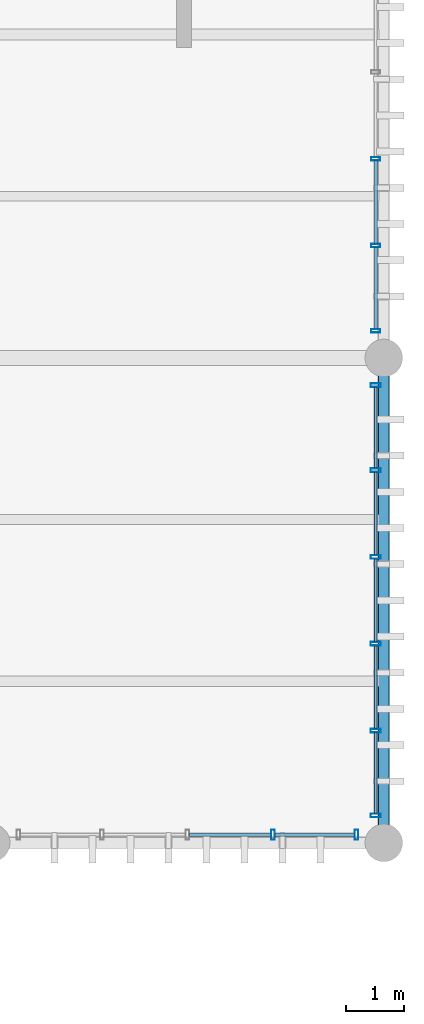
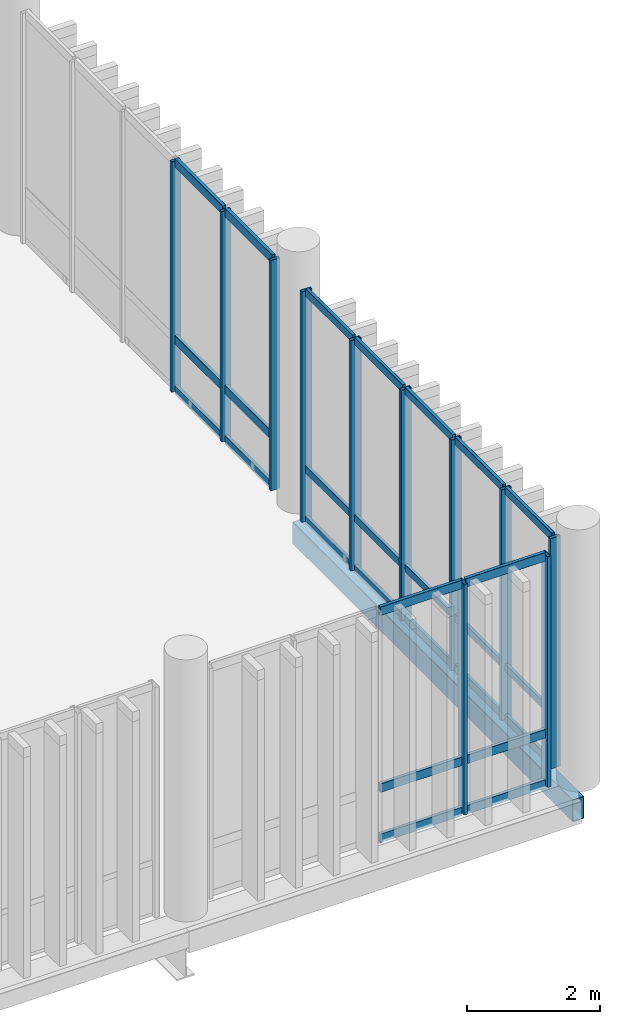
# One storey, part 50 of 86: 38 members, 1 beam, 3 elements without a shape of their own.
"""IFC4 building model written with IfcOpenShell, lengths in metres."""

import ifcopenshell
import ifcopenshell.guid

model = None  # the IFC model being written
_history = None  # IfcOwnerHistory: only IFC2X3 demands one
_inside = {}  # id of a spatial element -> (the spatial element, [elements in it])
_under = {}  # id of a project, library or spatial element -> (it, [spatial elements below it])
_declared = {}  # id of a project -> (the project, [libraries it declares])
_typed = {}  # id of a type object -> (the type object, [elements of that type])
_made_of = {}  # id of a material, layer set ... -> (it, [elements and type objects made of it])


def new_model(schema):
    """Start an empty IFC model of exactly this schema.

    Asked for "IFC4X3", IfcOpenShell would pick the latest addendum, in which some entities
    have other attributes; the version numbers below select the first issue.
    IFC2X3 requires an IfcOwnerHistory on every rooted entity: one is made here for all.
    """
    global model, _history
    if schema == "IFC4X3":
        model = ifcopenshell.file(schema_version=(4, 3, 0, 0))
    else:
        model = ifcopenshell.file(schema=schema)
    _inside.clear()
    _under.clear()
    _declared.clear()
    _typed.clear()
    _made_of.clear()
    _history = None
    if model.schema == "IFC2X3":
        org = make("IfcOrganization", Name="unknown")
        user = make(
            "IfcPersonAndOrganization",
            ThePerson=make("IfcPerson", FamilyName="unknown"),
            TheOrganization=org,
        )
        app = make(
            "IfcApplication",
            ApplicationDeveloper=org,
            Version="unknown",
            ApplicationFullName="unknown",
            ApplicationIdentifier="unknown",
        )
        _history = make(
            "IfcOwnerHistory",
            OwningUser=user,
            OwningApplication=app,
            ChangeAction="ADDED",
            CreationDate=0,
        )
    return model


def make(cls, **values):
    """One entity of the class cls with the attributes given. An attribute that is None is left unset."""
    return model.create_entity(
        cls, **{name: value for name, value in values.items() if value is not None}
    )


def rooted(cls, **values):
    """An entity with a GlobalId (a new one), such as an element, a storey or a relation."""
    return make(cls, GlobalId=ifcopenshell.guid.new(), OwnerHistory=_history, **values)


def si_unit(unit_type, name, prefix=None):
    """IfcSIUnit, for example si_unit("LENGTHUNIT", "METRE", prefix="MILLI")."""
    return make("IfcSIUnit", UnitType=unit_type, Prefix=prefix, Name=name)


def assignment(units):
    """IfcUnitAssignment: the units of a project."""
    return None if units is None else make("IfcUnitAssignment", Units=units)


def point(xyz):
    """IfcCartesianPoint."""
    return None if xyz is None else make("IfcCartesianPoint", Coordinates=xyz)


def direction(xyz):
    """IfcDirection."""
    return None if xyz is None else make("IfcDirection", DirectionRatios=xyz)


def frame(location, z_axis=None, x_axis=None):
    """IfcAxis2Placement3D, a coordinate frame: its origin and axes. An axis left out is left unset."""
    return make(
        "IfcAxis2Placement3D",
        Location=point(location),
        Axis=direction(z_axis),
        RefDirection=direction(x_axis),
    )


def frame_2d(location, x_axis=None):
    """IfcAxis2Placement2D, a coordinate frame in the plane: its origin and x axis."""
    return make(
        "IfcAxis2Placement2D", Location=point(location), RefDirection=direction(x_axis)
    )


def origin_with_axes():
    """The frame at (0, 0, 0) with the z axis (0, 0, 1) and the x axis (1, 0, 0) written out."""
    return frame((0.0, 0.0, 0.0), z_axis=(0.0, 0.0, 1.0), x_axis=(1.0, 0.0, 0.0))


def origin_2d_with_axis():
    """The frame at (0, 0) in the plane with the x axis (1, 0) written out."""
    return frame_2d((0.0, 0.0), x_axis=(1.0, 0.0))


def place(relative_to, where):
    """IfcLocalPlacement: puts the frame where relative to a parent placement (None: the world)."""
    return make(
        "IfcLocalPlacement", PlacementRelTo=relative_to, RelativePlacement=where
    )


def context(
    kind, dimensions, precision=None, world=None, true_north=None, identifier=None
):
    """IfcGeometricRepresentationContext, for example the 3D "Model" context."""
    return make(
        "IfcGeometricRepresentationContext",
        ContextIdentifier=identifier,
        ContextType=kind,
        CoordinateSpaceDimension=dimensions,
        Precision=precision,
        WorldCoordinateSystem=world,
        TrueNorth=true_north,
    )


def subcontext(parent, identifier, kind, view, scale=None):
    """IfcGeometricRepresentationSubContext, for example "Body" below "Model"."""
    return make(
        "IfcGeometricRepresentationSubContext",
        ContextIdentifier=identifier,
        ContextType=kind,
        ParentContext=parent,
        TargetScale=scale,
        TargetView=view,
    )


def project(units=None, contexts=None):
    """IfcProject with its units and contexts."""
    return rooted(
        "IfcProject",
        Name="project",
        RepresentationContexts=contexts,
        UnitsInContext=assignment(units),
    )


def spatial(cls, under=None, at=None, **own):
    """A site, building, storey or space (cls), placed at a placement, below another one or the project."""
    s = rooted(cls, ObjectPlacement=at, **own)
    if under is not None:
        _under.setdefault(under.id(), (under, []))[1].append(s)
    return s


def profile(cls, at=None, kind="AREA", **sizes):
    """A parametric profile (cls). Its sizes go by their IFC names, for example OverallWidth=200.0."""
    return make(cls, ProfileType=kind, Position=at, **sizes)


def hollow_rectangle(**sizes):
    """IfcRectangleHollowProfileDef."""
    return profile("IfcRectangleHollowProfileDef", **sizes)


def extrude(swept, where, along, depth):
    """IfcExtrudedAreaSolid: the profile swept, set in the frame where, extruded along a direction by depth."""
    return make(
        "IfcExtrudedAreaSolid",
        SweptArea=swept,
        Position=where,
        ExtrudedDirection=direction(along),
        Depth=depth,
    )


def shape(context_of_items, identifier, shape_type, items):
    """IfcShapeRepresentation: the items that make up one representation, for example the "Body"."""
    return make(
        "IfcShapeRepresentation",
        ContextOfItems=context_of_items,
        RepresentationIdentifier=identifier,
        RepresentationType=shape_type,
        Items=items,
    )


def material(Name=None, Category=None):
    """IfcMaterial."""
    return make("IfcMaterial", Name=Name, Category=Category)


def material_profile(
    of_material, cross_section, Name=None, Category=None, Priority=None
):
    """IfcMaterialProfile: a cross section and its material."""
    return make(
        "IfcMaterialProfile",
        Name=Name,
        Material=of_material,
        Profile=cross_section,
        Priority=Priority,
        Category=Category,
    )


def profile_set(profiles, Name=None, composite=None):
    """IfcMaterialProfileSet."""
    return make(
        "IfcMaterialProfileSet",
        Name=Name,
        MaterialProfiles=profiles,
        CompositeProfile=composite,
    )


def made_of(thing, what):
    """Note that an element or type object is made of a material, layer set ...; save() writes the relation."""
    if what is not None:
        _made_of.setdefault(what.id(), (what, []))[1].append(thing)
    return thing


def type_object(cls, material=None, **own):
    """A type object (cls), such as IfcWallType, which elements share."""
    return made_of(rooted(cls, **own), material)


def element(
    cls,
    number,
    at=None,
    inside=None,
    cuts=None,
    type_object=None,
    material=None,
    context=None,
    identifier="Body",
    shape_type=None,
    held_by="IfcProductDefinitionShape",
    body=None,
    shapes=None,
    **own,
):
    """One element of the class cls, such as IfcWall. Its Tag is "e" and its number.

    at: its placement. inside: the storey or other place that contains it. cuts: it is an
    opening in that element (IfcRelVoidsElement). A single representation is given by context,
    identifier, shape_type and body (its items); several are given by shapes. held_by: the class
    of the entity that holds the representations. save() writes the other relations.
    """
    e = rooted(cls, Tag="e%d" % number, ObjectPlacement=at, **own)
    if body is not None:
        shapes = [shape(context, identifier, shape_type, body)]
    if shapes is not None:
        e.Representation = make(held_by, Representations=shapes)
    if inside is not None:
        _inside.setdefault(inside.id(), (inside, []))[1].append(e)
    if cuts is not None:
        rooted(
            "IfcRelVoidsElement", RelatingBuildingElement=cuts, RelatedOpeningElement=e
        )
    if type_object is not None:
        _typed.setdefault(type_object.id(), (type_object, []))[1].append(e)
    return made_of(e, material)


def aggregate(whole, parts):
    """IfcRelAggregates: a whole, such as a stair, and the parts it consists of."""
    return rooted("IfcRelAggregates", RelatingObject=whole, RelatedObjects=parts)


def save(model, path):
    """Write the relations noted so far, then the file.

    IfcRelAggregates (storeys below a building ...), IfcRelContainedInSpatialStructure (elements
    in a storey), IfcRelDefinesByType, IfcRelAssociatesMaterial and IfcRelDeclares: one each for
    every whole, place, type object, material and project.
    """
    for whole, parts in _under.values():
        aggregate(whole, parts)
    for where, things in _inside.values():
        rooted(
            "IfcRelContainedInSpatialStructure",
            RelatedElements=things,
            RelatingStructure=where,
        )
    for kind, things in _typed.values():
        rooted("IfcRelDefinesByType", RelatedObjects=things, RelatingType=kind)
    for what, things in _made_of.values():
        rooted("IfcRelAssociatesMaterial", RelatedObjects=things, RelatingMaterial=what)
    for by, libraries in _declared.values():
        rooted("IfcRelDeclares", RelatingContext=by, RelatedDefinitions=libraries)
    model.write(path)


model = new_model("IFC4")

# Units and contexts
model_context = context("Model", 3, precision=1e-05, world=origin_with_axes(), true_north=direction((0.0, 1.0)))
body_context = subcontext(model_context, "Body", "Model", "MODEL_VIEW")
ifc_project = project(units=[si_unit("LENGTHUNIT", "METRE"), si_unit("AREAUNIT", "SQUARE_METRE"), si_unit("VOLUMEUNIT", "CUBIC_METRE"), si_unit("PLANEANGLEUNIT", "RADIAN"), si_unit("MASSUNIT", "GRAM", prefix="KILO"), si_unit("THERMODYNAMICTEMPERATUREUNIT", "KELVIN")], contexts=[model_context])

# Site, building, storey
site_placement = place(None, origin_with_axes())
site = spatial("IfcSite", under=ifc_project, at=site_placement, CompositionType="ELEMENT")
building_placement = place(site_placement, origin_with_axes())
building = spatial("IfcBuilding", under=site, at=building_placement, Name="Montbau Bow Law Courts", CompositionType="ELEMENT")
storey_placement = place(building_placement, frame((0.0, 0.0, 29.7), z_axis=(0.0, 0.0, 1.0), x_axis=(1.0, 0.0, 0.0)))
storey = spatial("IfcBuildingStorey", under=building, at=storey_placement, Name="L06", CompositionType="ELEMENT", Elevation=29.7)

# Beam
ifc_material_1 = material(Name="Steel CSA G40.21 Grade 350WT (350 MPa)", Category="steel")
ifc_material_profile_1 = material_profile(ifc_material_1, hollow_rectangle(XDim=0.203, YDim=0.406, WallThickness=0.0127, InnerFilletRadius=0.0254, OuterFilletRadius=0.0127, at=origin_2d_with_axis()), Name="HSS406X203X13", Category="Main", Priority=0)
ifc_profile_set_1 = profile_set([ifc_material_profile_1], Name="Steel CSA G40.21 Grade 350WT (350 MPa)")
beam_type = type_object("IfcBeamType", Name="B-SPN-01", PredefinedType="SPANDREL", material=ifc_profile_set_1)
beam_placement = place(None, frame((169.4, 78.0, 29.157), z_axis=(0.0, 1.0, 0.0), x_axis=(-1.0, 0.0, 0.0)))
element("IfcBeam", 1, at=beam_placement, inside=storey, type_object=beam_type, Name="SPN-L06-S1334:bm2_1337", PredefinedType="SPANDREL", context=body_context, shape_type="SweptSolid", body=[
    extrude(hollow_rectangle(XDim=0.203, YDim=0.406, WallThickness=0.0127, InnerFilletRadius=0.0254, OuterFilletRadius=0.0127, at=origin_2d_with_axis()), origin_with_axes(), (0.0, 0.0, 1.0), 8.4),
])

# Curtain wall, members
ifc_material_2 = material(Name="Thermally Broken Extruded Aluminium AA 6063-T6", Category="aluminium")
curtain_wall_type = type_object("IfcCurtainWallType", Name="CW-SLT-02", PredefinedType="NOTDEFINED", material=ifc_material_2)
curtain_wall_1_placement = place(None, frame((163.04, 78.14, 29.7), z_axis=(0.0, 0.0, 1.0), x_axis=(1.0, 0.0, 0.0)))
curtain_wall_1 = element("IfcCurtainWall", 2, at=curtain_wall_1_placement, inside=storey, type_object=curtain_wall_type, Name="CW-L06-352:cw_0352", PredefinedType="NOTDEFINED")
ifc_material_profile_2 = material_profile(ifc_material_2, hollow_rectangle(XDim=0.065, YDim=0.18, WallThickness=0.005, InnerFilletRadius=0.01, OuterFilletRadius=0.005, at=origin_2d_with_axis()), Name="CWM-180X65", Category="Main", Priority=0)
ifc_profile_set_2 = profile_set([ifc_material_profile_2], Name="Thermally Broken Extruded Aluminium AA 6063-T6")
member_type_1 = type_object("IfcMemberType", Name="M-MUL-02", PredefinedType="MULLION", material=ifc_profile_set_2)
member_1_placement = place(None, frame((167.48, 78.14, 29.7), z_axis=(0.0, 0.0, 1.0), x_axis=(1.0, 0.0, 0.0)))
member_1 = element("IfcMember", 3, at=member_1_placement, type_object=member_type_1, Name="CW-L06-352-M04:cw_0352_M04", PredefinedType="MULLION", context=body_context, shape_type="SweptSolid", body=[
    extrude(hollow_rectangle(XDim=0.065, YDim=0.18, WallThickness=0.005, InnerFilletRadius=0.01, OuterFilletRadius=0.005, at=origin_2d_with_axis()), origin_with_axes(), (0.0, 0.0, 1.0), 4.22),
])
member_2_placement = place(None, frame((168.928, 78.14, 29.7), z_axis=(0.0, 0.0, 1.0), x_axis=(1.0, 0.0, 0.0)))
member_2 = element("IfcMember", 4, at=member_2_placement, type_object=member_type_1, Name="CW-L06-352-M05:cw_0352_M05", PredefinedType="MULLION", context=body_context, shape_type="SweptSolid", body=[
    extrude(hollow_rectangle(XDim=0.065, YDim=0.18, WallThickness=0.005, InnerFilletRadius=0.01, OuterFilletRadius=0.005, at=origin_2d_with_axis()), origin_with_axes(), (0.0, 0.0, 1.0), 4.22),
])

curtain_wall_2_placement = place(None, frame((169.26, 78.44, 29.7), z_axis=(0.0, 0.0, 1.0), x_axis=(1.0, 0.0, 0.0)))
curtain_wall_2 = element("IfcCurtainWall", 5, at=curtain_wall_2_placement, inside=storey, type_object=curtain_wall_type, Name="CW-L06-361:cw_0361", PredefinedType="NOTDEFINED")
member_3_placement = place(None, frame((169.26, 78.473, 29.7), z_axis=(0.0, 0.0, 1.0), x_axis=(0.0, 1.0, 0.0)))
member_3 = element("IfcMember", 6, at=member_3_placement, type_object=member_type_1, Name="CW-L06-361-M01:cw_0361_M01", PredefinedType="MULLION", context=body_context, shape_type="SweptSolid", body=[
    extrude(hollow_rectangle(XDim=0.065, YDim=0.18, WallThickness=0.005, InnerFilletRadius=0.01, OuterFilletRadius=0.005, at=origin_2d_with_axis()), origin_with_axes(), (0.0, 0.0, 1.0), 4.22),
])
member_4_placement = place(None, frame((169.26, 79.944, 29.7), z_axis=(0.0, 0.0, 1.0), x_axis=(0.0, 1.0, 0.0)))
member_4 = element("IfcMember", 7, at=member_4_placement, type_object=member_type_1, Name="CW-L06-361-M02:cw_0361_M02", PredefinedType="MULLION", context=body_context, shape_type="SweptSolid", body=[
    extrude(hollow_rectangle(XDim=0.065, YDim=0.18, WallThickness=0.005, InnerFilletRadius=0.01, OuterFilletRadius=0.005, at=origin_2d_with_axis()), origin_with_axes(), (0.0, 0.0, 1.0), 4.22),
])
member_5_placement = place(None, frame((169.26, 81.448, 29.7), z_axis=(0.0, 0.0, 1.0), x_axis=(0.0, 1.0, 0.0)))
member_5 = element("IfcMember", 8, at=member_5_placement, type_object=member_type_1, Name="CW-L06-361-M03:cw_0361_M03", PredefinedType="MULLION", context=body_context, shape_type="SweptSolid", body=[
    extrude(hollow_rectangle(XDim=0.065, YDim=0.18, WallThickness=0.005, InnerFilletRadius=0.01, OuterFilletRadius=0.005, at=origin_2d_with_axis()), origin_with_axes(), (0.0, 0.0, 1.0), 4.22),
])
member_6_placement = place(None, frame((169.26, 82.952, 29.7), z_axis=(0.0, 0.0, 1.0), x_axis=(0.0, 1.0, 0.0)))
member_6 = element("IfcMember", 9, at=member_6_placement, type_object=member_type_1, Name="CW-L06-361-M04:cw_0361_M04", PredefinedType="MULLION", context=body_context, shape_type="SweptSolid", body=[
    extrude(hollow_rectangle(XDim=0.065, YDim=0.18, WallThickness=0.005, InnerFilletRadius=0.01, OuterFilletRadius=0.005, at=origin_2d_with_axis()), origin_with_axes(), (0.0, 0.0, 1.0), 4.22),
])
member_7_placement = place(None, frame((169.26, 84.456, 29.7), z_axis=(0.0, 0.0, 1.0), x_axis=(0.0, 1.0, 0.0)))
member_7 = element("IfcMember", 10, at=member_7_placement, type_object=member_type_1, Name="CW-L06-361-M05:cw_0361_M05", PredefinedType="MULLION", context=body_context, shape_type="SweptSolid", body=[
    extrude(hollow_rectangle(XDim=0.065, YDim=0.18, WallThickness=0.005, InnerFilletRadius=0.01, OuterFilletRadius=0.005, at=origin_2d_with_axis()), origin_with_axes(), (0.0, 0.0, 1.0), 4.22),
])
member_8_placement = place(None, frame((169.26, 85.927, 29.7), z_axis=(0.0, 0.0, 1.0), x_axis=(0.0, 1.0, 0.0)))
member_8 = element("IfcMember", 11, at=member_8_placement, type_object=member_type_1, Name="CW-L06-361-M06:cw_0361_M06", PredefinedType="MULLION", context=body_context, shape_type="SweptSolid", body=[
    extrude(hollow_rectangle(XDim=0.065, YDim=0.18, WallThickness=0.005, InnerFilletRadius=0.01, OuterFilletRadius=0.005, at=origin_2d_with_axis()), origin_with_axes(), (0.0, 0.0, 1.0), 4.22),
])

curtain_wall_3_placement = place(None, frame((169.26, 86.84, 29.7), z_axis=(0.0, 0.0, 1.0), x_axis=(1.0, 0.0, 0.0)))
curtain_wall_3 = element("IfcCurtainWall", 12, at=curtain_wall_3_placement, inside=storey, type_object=curtain_wall_type, Name="CW-L06-362:cw_0362", PredefinedType="NOTDEFINED")
ifc_material_profile_3 = material_profile(ifc_material_2, hollow_rectangle(XDim=0.06, YDim=0.16, WallThickness=0.004, InnerFilletRadius=0.008, OuterFilletRadius=0.004, at=origin_2d_with_axis()), Name="CWM-160X60", Category="Main", Priority=0)
ifc_profile_set_3 = profile_set([ifc_material_profile_3], Name="Thermally Broken Extruded Aluminium AA 6063-T6")
member_type_2 = type_object("IfcMemberType", Name="M-MUL-03", PredefinedType="MULLION", material=ifc_profile_set_3)
member_9_placement = place(None, frame((169.26, 86.87, 29.7), z_axis=(0.0, 0.0, 1.0), x_axis=(0.0, 1.0, 0.0)))
member_9 = element("IfcMember", 13, at=member_9_placement, type_object=member_type_2, Name="CW-L06-362-M01:cw_0362_M01", PredefinedType="MULLION", context=body_context, shape_type="SweptSolid", body=[
    extrude(hollow_rectangle(XDim=0.06, YDim=0.16, WallThickness=0.004, InnerFilletRadius=0.008, OuterFilletRadius=0.004, at=origin_2d_with_axis()), origin_with_axes(), (0.0, 0.0, 1.0), 4.22),
])
member_10_placement = place(None, frame((169.26, 88.344, 29.7), z_axis=(0.0, 0.0, 1.0), x_axis=(0.0, 1.0, 0.0)))
member_10 = element("IfcMember", 14, at=member_10_placement, type_object=member_type_2, Name="CW-L06-362-M02:cw_0362_M02", PredefinedType="MULLION", context=body_context, shape_type="SweptSolid", body=[
    extrude(hollow_rectangle(XDim=0.06, YDim=0.16, WallThickness=0.004, InnerFilletRadius=0.008, OuterFilletRadius=0.004, at=origin_2d_with_axis()), origin_with_axes(), (0.0, 0.0, 1.0), 4.22),
])
member_11_placement = place(None, frame((169.26, 89.848, 29.7), z_axis=(0.0, 0.0, 1.0), x_axis=(0.0, 1.0, 0.0)))
member_11 = element("IfcMember", 15, at=member_11_placement, type_object=member_type_2, Name="CW-L06-362-M03:cw_0362_M03", PredefinedType="MULLION", context=body_context, shape_type="SweptSolid", body=[
    extrude(hollow_rectangle(XDim=0.06, YDim=0.16, WallThickness=0.004, InnerFilletRadius=0.008, OuterFilletRadius=0.004, at=origin_2d_with_axis()), origin_with_axes(), (0.0, 0.0, 1.0), 4.22),
])

# Member
ifc_material_profile_4 = material_profile(ifc_material_2, hollow_rectangle(XDim=0.06, YDim=0.16, WallThickness=0.004, InnerFilletRadius=0.008, OuterFilletRadius=0.004, at=origin_2d_with_axis()), Name="CWT-160X60", Category="Main", Priority=0)
ifc_profile_set_4 = profile_set([ifc_material_profile_4], Name="Thermally Broken Extruded Aluminium AA 6063-T6")
member_type_3 = type_object("IfcMemberType", Name="M-TRN-01", PredefinedType="USERDEFINED", material=ifc_profile_set_4)
member_12_placement = place(None, frame((166.034, 78.14, 29.73), z_axis=(1.0, 0.0, 0.0), x_axis=(0.0, 1.0, 0.0)))
member_12 = element("IfcMember", 16, at=member_12_placement, type_object=member_type_3, Name="CW-L06-352-T03-1:cw_0352_T03_1", ObjectType="TRANSOM", PredefinedType="USERDEFINED", context=body_context, shape_type="SweptSolid", body=[
    extrude(hollow_rectangle(XDim=0.06, YDim=0.16, WallThickness=0.004, InnerFilletRadius=0.008, OuterFilletRadius=0.004, at=origin_2d_with_axis()), origin_with_axes(), (0.0, 0.0, 1.0), 1.412),
])

member_13_placement = place(None, frame((166.034, 78.14, 30.65), z_axis=(1.0, 0.0, 0.0), x_axis=(0.0, 1.0, 0.0)))
member_13 = element("IfcMember", 17, at=member_13_placement, type_object=member_type_3, Name="CW-L06-352-T03-2:cw_0352_T03_2", ObjectType="TRANSOM", PredefinedType="USERDEFINED", context=body_context, shape_type="SweptSolid", body=[
    extrude(hollow_rectangle(XDim=0.06, YDim=0.16, WallThickness=0.004, InnerFilletRadius=0.008, OuterFilletRadius=0.004, at=origin_2d_with_axis()), origin_with_axes(), (0.0, 0.0, 1.0), 1.412),
])

member_14_placement = place(None, frame((166.034, 78.14, 33.89), z_axis=(1.0, 0.0, 0.0), x_axis=(0.0, 1.0, 0.0)))
member_14 = element("IfcMember", 18, at=member_14_placement, type_object=member_type_3, Name="CW-L06-352-T03-3:cw_0352_T03_3", ObjectType="TRANSOM", PredefinedType="USERDEFINED", context=body_context, shape_type="SweptSolid", body=[
    extrude(hollow_rectangle(XDim=0.06, YDim=0.16, WallThickness=0.004, InnerFilletRadius=0.008, OuterFilletRadius=0.004, at=origin_2d_with_axis()), origin_with_axes(), (0.0, 0.0, 1.0), 1.412),
])

member_15_placement = place(None, frame((167.514, 78.14, 29.73), z_axis=(1.0, 0.0, 0.0), x_axis=(0.0, 1.0, 0.0)))
member_15 = element("IfcMember", 19, at=member_15_placement, type_object=member_type_3, Name="CW-L06-352-T04-1:cw_0352_T04_1", ObjectType="TRANSOM", PredefinedType="USERDEFINED", context=body_context, shape_type="SweptSolid", body=[
    extrude(hollow_rectangle(XDim=0.06, YDim=0.16, WallThickness=0.004, InnerFilletRadius=0.008, OuterFilletRadius=0.004, at=origin_2d_with_axis()), origin_with_axes(), (0.0, 0.0, 1.0), 1.38),
])

member_16_placement = place(None, frame((167.514, 78.14, 30.65), z_axis=(1.0, 0.0, 0.0), x_axis=(0.0, 1.0, 0.0)))
member_16 = element("IfcMember", 20, at=member_16_placement, type_object=member_type_3, Name="CW-L06-352-T04-2:cw_0352_T04_2", ObjectType="TRANSOM", PredefinedType="USERDEFINED", context=body_context, shape_type="SweptSolid", body=[
    extrude(hollow_rectangle(XDim=0.06, YDim=0.16, WallThickness=0.004, InnerFilletRadius=0.008, OuterFilletRadius=0.004, at=origin_2d_with_axis()), origin_with_axes(), (0.0, 0.0, 1.0), 1.38),
])

member_17_placement = place(None, frame((167.514, 78.14, 33.89), z_axis=(1.0, 0.0, 0.0), x_axis=(0.0, 1.0, 0.0)))
member_17 = element("IfcMember", 21, at=member_17_placement, type_object=member_type_3, Name="CW-L06-352-T04-3:cw_0352_T04_3", ObjectType="TRANSOM", PredefinedType="USERDEFINED", context=body_context, shape_type="SweptSolid", body=[
    extrude(hollow_rectangle(XDim=0.06, YDim=0.16, WallThickness=0.004, InnerFilletRadius=0.008, OuterFilletRadius=0.004, at=origin_2d_with_axis()), origin_with_axes(), (0.0, 0.0, 1.0), 1.38),
])

aggregate(curtain_wall_1, [member_1, member_2, member_12, member_13, member_14, member_15, member_16, member_17])

member_18_placement = place(None, frame((169.26, 86.902, 29.73), z_axis=(0.0, 1.0, 0.0), x_axis=(-1.0, 0.0, 0.0)))
member_18 = element("IfcMember", 22, at=member_18_placement, type_object=member_type_3, Name="CW-L06-362-T01-1:cw_0362_T01_1", ObjectType="TRANSOM", PredefinedType="USERDEFINED", context=body_context, shape_type="SweptSolid", body=[
    extrude(hollow_rectangle(XDim=0.06, YDim=0.16, WallThickness=0.004, InnerFilletRadius=0.008, OuterFilletRadius=0.004, at=origin_2d_with_axis()), origin_with_axes(), (0.0, 0.0, 1.0), 1.41),
])

member_19_placement = place(None, frame((169.26, 86.902, 30.65), z_axis=(0.0, 1.0, 0.0), x_axis=(-1.0, 0.0, 0.0)))
member_19 = element("IfcMember", 23, at=member_19_placement, type_object=member_type_3, Name="CW-L06-362-T01-2:cw_0362_T01_2", ObjectType="TRANSOM", PredefinedType="USERDEFINED", context=body_context, shape_type="SweptSolid", body=[
    extrude(hollow_rectangle(XDim=0.06, YDim=0.16, WallThickness=0.004, InnerFilletRadius=0.008, OuterFilletRadius=0.004, at=origin_2d_with_axis()), origin_with_axes(), (0.0, 0.0, 1.0), 1.41),
])

member_20_placement = place(None, frame((169.26, 86.902, 33.89), z_axis=(0.0, 1.0, 0.0), x_axis=(-1.0, 0.0, 0.0)))
member_20 = element("IfcMember", 24, at=member_20_placement, type_object=member_type_3, Name="CW-L06-362-T01-3:cw_0362_T01_3", ObjectType="TRANSOM", PredefinedType="USERDEFINED", context=body_context, shape_type="SweptSolid", body=[
    extrude(hollow_rectangle(XDim=0.06, YDim=0.16, WallThickness=0.004, InnerFilletRadius=0.008, OuterFilletRadius=0.004, at=origin_2d_with_axis()), origin_with_axes(), (0.0, 0.0, 1.0), 1.41),
])

member_21_placement = place(None, frame((169.26, 88.376, 29.73), z_axis=(0.0, 1.0, 0.0), x_axis=(-1.0, 0.0, 0.0)))
member_21 = element("IfcMember", 25, at=member_21_placement, type_object=member_type_3, Name="CW-L06-362-T02-1:cw_0362_T02_1", ObjectType="TRANSOM", PredefinedType="USERDEFINED", context=body_context, shape_type="SweptSolid", body=[
    extrude(hollow_rectangle(XDim=0.06, YDim=0.16, WallThickness=0.004, InnerFilletRadius=0.008, OuterFilletRadius=0.004, at=origin_2d_with_axis()), origin_with_axes(), (0.0, 0.0, 1.0), 1.44),
])

member_22_placement = place(None, frame((169.26, 88.376, 30.65), z_axis=(0.0, 1.0, 0.0), x_axis=(-1.0, 0.0, 0.0)))
member_22 = element("IfcMember", 26, at=member_22_placement, type_object=member_type_3, Name="CW-L06-362-T02-2:cw_0362_T02_2", ObjectType="TRANSOM", PredefinedType="USERDEFINED", context=body_context, shape_type="SweptSolid", body=[
    extrude(hollow_rectangle(XDim=0.06, YDim=0.16, WallThickness=0.004, InnerFilletRadius=0.008, OuterFilletRadius=0.004, at=origin_2d_with_axis()), origin_with_axes(), (0.0, 0.0, 1.0), 1.44),
])

member_23_placement = place(None, frame((169.26, 88.376, 33.89), z_axis=(0.0, 1.0, 0.0), x_axis=(-1.0, 0.0, 0.0)))
member_23 = element("IfcMember", 27, at=member_23_placement, type_object=member_type_3, Name="CW-L06-362-T02-3:cw_0362_T02_3", ObjectType="TRANSOM", PredefinedType="USERDEFINED", context=body_context, shape_type="SweptSolid", body=[
    extrude(hollow_rectangle(XDim=0.06, YDim=0.16, WallThickness=0.004, InnerFilletRadius=0.008, OuterFilletRadius=0.004, at=origin_2d_with_axis()), origin_with_axes(), (0.0, 0.0, 1.0), 1.44),
])

aggregate(curtain_wall_3, [member_9, member_10, member_11, member_18, member_19, member_20, member_21, member_22, member_23])

ifc_material_profile_5 = material_profile(ifc_material_2, hollow_rectangle(XDim=0.055, YDim=0.14, WallThickness=0.004, InnerFilletRadius=0.008, OuterFilletRadius=0.004, at=origin_2d_with_axis()), Name="CWT-140X55", Category="Main", Priority=0)
ifc_profile_set_5 = profile_set([ifc_material_profile_5], Name="Thermally Broken Extruded Aluminium AA 6063-T6")
member_type_4 = type_object("IfcMemberType", Name="M-TRN-02", PredefinedType="USERDEFINED", material=ifc_profile_set_5)
member_24_placement = place(None, frame((169.26, 78.508, 29.727), z_axis=(0.0, 1.0, 0.0), x_axis=(-1.0, 0.0, 0.0)))
member_24 = element("IfcMember", 28, at=member_24_placement, type_object=member_type_4, Name="CW-L06-361-T01-1:cw_0361_T01_1", ObjectType="TRANSOM", PredefinedType="USERDEFINED", context=body_context, shape_type="SweptSolid", body=[
    extrude(hollow_rectangle(XDim=0.055, YDim=0.14, WallThickness=0.004, InnerFilletRadius=0.008, OuterFilletRadius=0.004, at=origin_2d_with_axis()), origin_with_axes(), (0.0, 0.0, 1.0), 1.402),
])

member_25_placement = place(None, frame((169.26, 78.508, 30.65), z_axis=(0.0, 1.0, 0.0), x_axis=(-1.0, 0.0, 0.0)))
member_25 = element("IfcMember", 29, at=member_25_placement, type_object=member_type_4, Name="CW-L06-361-T01-2:cw_0361_T01_2", ObjectType="TRANSOM", PredefinedType="USERDEFINED", context=body_context, shape_type="SweptSolid", body=[
    extrude(hollow_rectangle(XDim=0.055, YDim=0.14, WallThickness=0.004, InnerFilletRadius=0.008, OuterFilletRadius=0.004, at=origin_2d_with_axis()), origin_with_axes(), (0.0, 0.0, 1.0), 1.402),
])

member_26_placement = place(None, frame((169.26, 78.508, 33.892), z_axis=(0.0, 1.0, 0.0), x_axis=(-1.0, 0.0, 0.0)))
member_26 = element("IfcMember", 30, at=member_26_placement, type_object=member_type_4, Name="CW-L06-361-T01-3:cw_0361_T01_3", ObjectType="TRANSOM", PredefinedType="USERDEFINED", context=body_context, shape_type="SweptSolid", body=[
    extrude(hollow_rectangle(XDim=0.055, YDim=0.14, WallThickness=0.004, InnerFilletRadius=0.008, OuterFilletRadius=0.004, at=origin_2d_with_axis()), origin_with_axes(), (0.0, 0.0, 1.0), 1.402),
])

member_27_placement = place(None, frame((169.26, 79.978, 29.727), z_axis=(0.0, 1.0, 0.0), x_axis=(-1.0, 0.0, 0.0)))
member_27 = element("IfcMember", 31, at=member_27_placement, type_object=member_type_4, Name="CW-L06-361-T02-1:cw_0361_T02_1", ObjectType="TRANSOM", PredefinedType="USERDEFINED", context=body_context, shape_type="SweptSolid", body=[
    extrude(hollow_rectangle(XDim=0.055, YDim=0.14, WallThickness=0.004, InnerFilletRadius=0.008, OuterFilletRadius=0.004, at=origin_2d_with_axis()), origin_with_axes(), (0.0, 0.0, 1.0), 1.436),
])

member_28_placement = place(None, frame((169.26, 79.978, 30.65), z_axis=(0.0, 1.0, 0.0), x_axis=(-1.0, 0.0, 0.0)))
member_28 = element("IfcMember", 32, at=member_28_placement, type_object=member_type_4, Name="CW-L06-361-T02-2:cw_0361_T02_2", ObjectType="TRANSOM", PredefinedType="USERDEFINED", context=body_context, shape_type="SweptSolid", body=[
    extrude(hollow_rectangle(XDim=0.055, YDim=0.14, WallThickness=0.004, InnerFilletRadius=0.008, OuterFilletRadius=0.004, at=origin_2d_with_axis()), origin_with_axes(), (0.0, 0.0, 1.0), 1.436),
])

member_29_placement = place(None, frame((169.26, 79.978, 33.892), z_axis=(0.0, 1.0, 0.0), x_axis=(-1.0, 0.0, 0.0)))
member_29 = element("IfcMember", 33, at=member_29_placement, type_object=member_type_4, Name="CW-L06-361-T02-3:cw_0361_T02_3", ObjectType="TRANSOM", PredefinedType="USERDEFINED", context=body_context, shape_type="SweptSolid", body=[
    extrude(hollow_rectangle(XDim=0.055, YDim=0.14, WallThickness=0.004, InnerFilletRadius=0.008, OuterFilletRadius=0.004, at=origin_2d_with_axis()), origin_with_axes(), (0.0, 0.0, 1.0), 1.436),
])

member_30_placement = place(None, frame((169.26, 81.482, 29.727), z_axis=(0.0, 1.0, 0.0), x_axis=(-1.0, 0.0, 0.0)))
member_30 = element("IfcMember", 34, at=member_30_placement, type_object=member_type_4, Name="CW-L06-361-T03-1:cw_0361_T03_1", ObjectType="TRANSOM", PredefinedType="USERDEFINED", context=body_context, shape_type="SweptSolid", body=[
    extrude(hollow_rectangle(XDim=0.055, YDim=0.14, WallThickness=0.004, InnerFilletRadius=0.008, OuterFilletRadius=0.004, at=origin_2d_with_axis()), origin_with_axes(), (0.0, 0.0, 1.0), 1.436),
])

member_31_placement = place(None, frame((169.26, 81.482, 30.65), z_axis=(0.0, 1.0, 0.0), x_axis=(-1.0, 0.0, 0.0)))
member_31 = element("IfcMember", 35, at=member_31_placement, type_object=member_type_4, Name="CW-L06-361-T03-2:cw_0361_T03_2", ObjectType="TRANSOM", PredefinedType="USERDEFINED", context=body_context, shape_type="SweptSolid", body=[
    extrude(hollow_rectangle(XDim=0.055, YDim=0.14, WallThickness=0.004, InnerFilletRadius=0.008, OuterFilletRadius=0.004, at=origin_2d_with_axis()), origin_with_axes(), (0.0, 0.0, 1.0), 1.436),
])

member_32_placement = place(None, frame((169.26, 81.482, 33.892), z_axis=(0.0, 1.0, 0.0), x_axis=(-1.0, 0.0, 0.0)))
member_32 = element("IfcMember", 36, at=member_32_placement, type_object=member_type_4, Name="CW-L06-361-T03-3:cw_0361_T03_3", ObjectType="TRANSOM", PredefinedType="USERDEFINED", context=body_context, shape_type="SweptSolid", body=[
    extrude(hollow_rectangle(XDim=0.055, YDim=0.14, WallThickness=0.004, InnerFilletRadius=0.008, OuterFilletRadius=0.004, at=origin_2d_with_axis()), origin_with_axes(), (0.0, 0.0, 1.0), 1.436),
])

member_33_placement = place(None, frame((169.26, 82.986, 29.727), z_axis=(0.0, 1.0, 0.0), x_axis=(-1.0, 0.0, 0.0)))
member_33 = element("IfcMember", 37, at=member_33_placement, type_object=member_type_4, Name="CW-L06-361-T04-1:cw_0361_T04_1", ObjectType="TRANSOM", PredefinedType="USERDEFINED", context=body_context, shape_type="SweptSolid", body=[
    extrude(hollow_rectangle(XDim=0.055, YDim=0.14, WallThickness=0.004, InnerFilletRadius=0.008, OuterFilletRadius=0.004, at=origin_2d_with_axis()), origin_with_axes(), (0.0, 0.0, 1.0), 1.436),
])

member_34_placement = place(None, frame((169.26, 82.986, 30.65), z_axis=(0.0, 1.0, 0.0), x_axis=(-1.0, 0.0, 0.0)))
member_34 = element("IfcMember", 38, at=member_34_placement, type_object=member_type_4, Name="CW-L06-361-T04-2:cw_0361_T04_2", ObjectType="TRANSOM", PredefinedType="USERDEFINED", context=body_context, shape_type="SweptSolid", body=[
    extrude(hollow_rectangle(XDim=0.055, YDim=0.14, WallThickness=0.004, InnerFilletRadius=0.008, OuterFilletRadius=0.004, at=origin_2d_with_axis()), origin_with_axes(), (0.0, 0.0, 1.0), 1.436),
])

member_35_placement = place(None, frame((169.26, 82.986, 33.892), z_axis=(0.0, 1.0, 0.0), x_axis=(-1.0, 0.0, 0.0)))
member_35 = element("IfcMember", 39, at=member_35_placement, type_object=member_type_4, Name="CW-L06-361-T04-3:cw_0361_T04_3", ObjectType="TRANSOM", PredefinedType="USERDEFINED", context=body_context, shape_type="SweptSolid", body=[
    extrude(hollow_rectangle(XDim=0.055, YDim=0.14, WallThickness=0.004, InnerFilletRadius=0.008, OuterFilletRadius=0.004, at=origin_2d_with_axis()), origin_with_axes(), (0.0, 0.0, 1.0), 1.436),
])

member_36_placement = place(None, frame((169.26, 84.49, 29.727), z_axis=(0.0, 1.0, 0.0), x_axis=(-1.0, 0.0, 0.0)))
member_36 = element("IfcMember", 40, at=member_36_placement, type_object=member_type_4, Name="CW-L06-361-T05-1:cw_0361_T05_1", ObjectType="TRANSOM", PredefinedType="USERDEFINED", context=body_context, shape_type="SweptSolid", body=[
    extrude(hollow_rectangle(XDim=0.055, YDim=0.14, WallThickness=0.004, InnerFilletRadius=0.008, OuterFilletRadius=0.004, at=origin_2d_with_axis()), origin_with_axes(), (0.0, 0.0, 1.0), 1.403),
])

member_37_placement = place(None, frame((169.26, 84.49, 30.65), z_axis=(0.0, 1.0, 0.0), x_axis=(-1.0, 0.0, 0.0)))
member_37 = element("IfcMember", 41, at=member_37_placement, type_object=member_type_4, Name="CW-L06-361-T05-2:cw_0361_T05_2", ObjectType="TRANSOM", PredefinedType="USERDEFINED", context=body_context, shape_type="SweptSolid", body=[
    extrude(hollow_rectangle(XDim=0.055, YDim=0.14, WallThickness=0.004, InnerFilletRadius=0.008, OuterFilletRadius=0.004, at=origin_2d_with_axis()), origin_with_axes(), (0.0, 0.0, 1.0), 1.403),
])

member_38_placement = place(None, frame((169.26, 84.49, 33.892), z_axis=(0.0, 1.0, 0.0), x_axis=(-1.0, 0.0, 0.0)))
member_38 = element("IfcMember", 42, at=member_38_placement, type_object=member_type_4, Name="CW-L06-361-T05-3:cw_0361_T05_3", ObjectType="TRANSOM", PredefinedType="USERDEFINED", context=body_context, shape_type="SweptSolid", body=[
    extrude(hollow_rectangle(XDim=0.055, YDim=0.14, WallThickness=0.004, InnerFilletRadius=0.008, OuterFilletRadius=0.004, at=origin_2d_with_axis()), origin_with_axes(), (0.0, 0.0, 1.0), 1.403),
])

aggregate(curtain_wall_2, [member_3, member_4, member_5, member_6, member_7, member_8, member_24, member_25, member_26, member_27, member_28, member_29, member_30, member_31, member_32, member_33, member_34, member_35, member_36, member_37, member_38])

save(model, "model.ifc")
